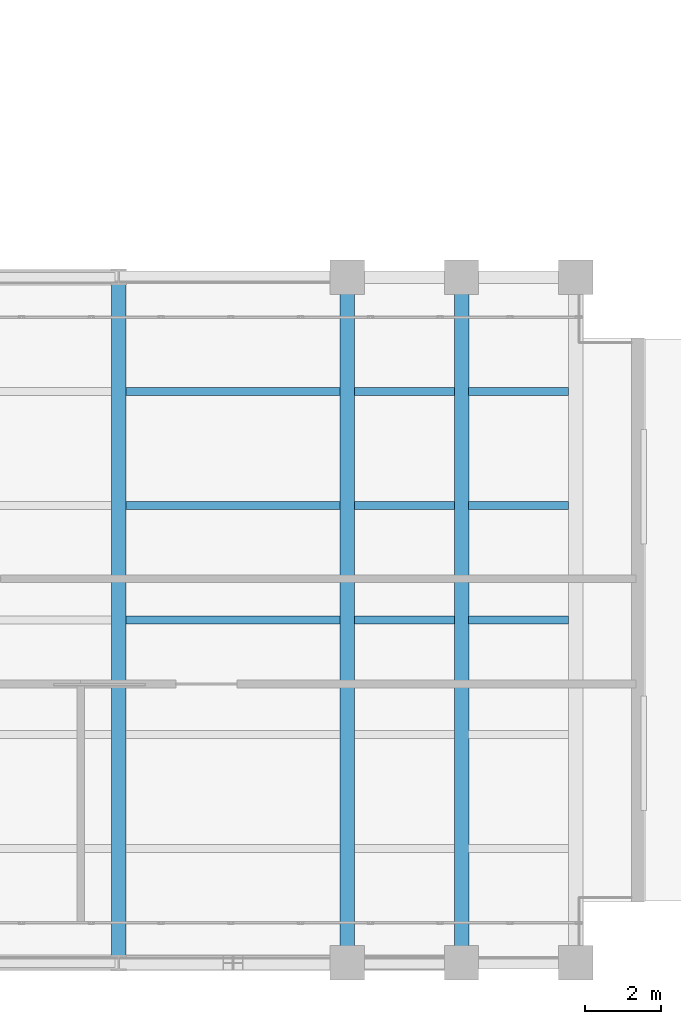
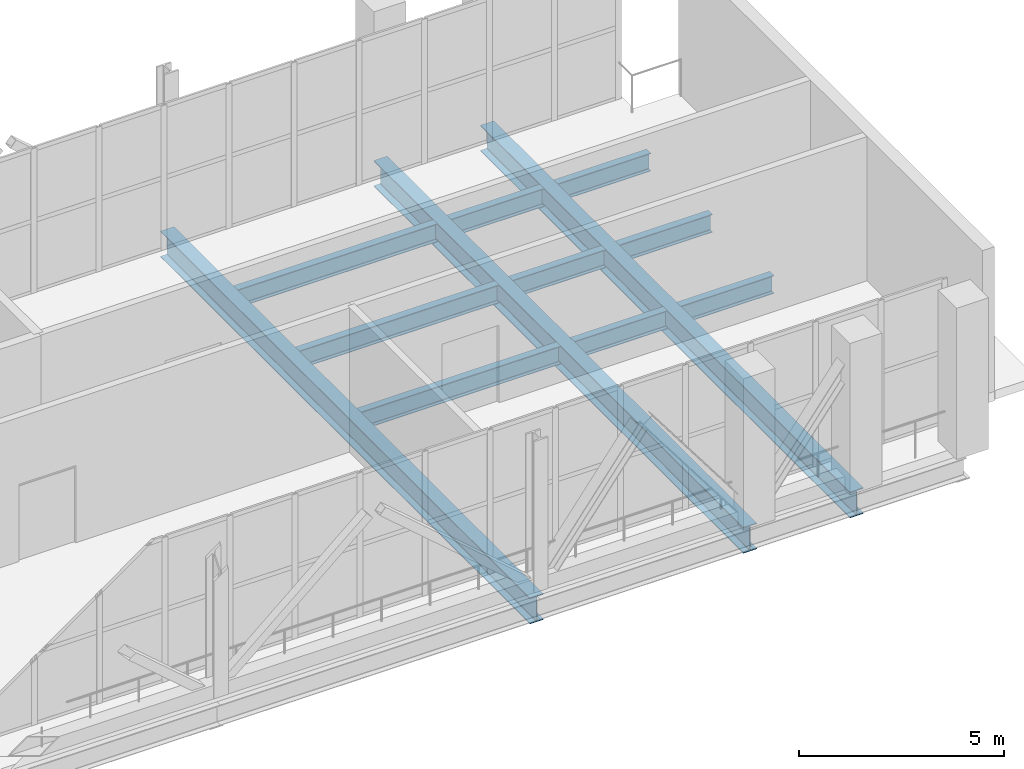
# One storey, part 14 of 26: 12 beams.
"""IFC4 building model written with IfcOpenShell, lengths in metres."""

import ifcopenshell
import ifcopenshell.guid

model = None  # the IFC model being written
_history = None  # IfcOwnerHistory: only IFC2X3 demands one
_inside = {}  # id of a spatial element -> (the spatial element, [elements in it])
_under = {}  # id of a project, library or spatial element -> (it, [spatial elements below it])
_declared = {}  # id of a project -> (the project, [libraries it declares])
_typed = {}  # id of a type object -> (the type object, [elements of that type])
_made_of = {}  # id of a material, layer set ... -> (it, [elements and type objects made of it])


def new_model(schema):
    """Start an empty IFC model of exactly this schema.

    Asked for "IFC4X3", IfcOpenShell would pick the latest addendum, in which some entities
    have other attributes; the version numbers below select the first issue.
    IFC2X3 requires an IfcOwnerHistory on every rooted entity: one is made here for all.
    """
    global model, _history
    if schema == "IFC4X3":
        model = ifcopenshell.file(schema_version=(4, 3, 0, 0))
    else:
        model = ifcopenshell.file(schema=schema)
    _inside.clear()
    _under.clear()
    _declared.clear()
    _typed.clear()
    _made_of.clear()
    _history = None
    if model.schema == "IFC2X3":
        org = make("IfcOrganization", Name="unknown")
        user = make(
            "IfcPersonAndOrganization",
            ThePerson=make("IfcPerson", FamilyName="unknown"),
            TheOrganization=org,
        )
        app = make(
            "IfcApplication",
            ApplicationDeveloper=org,
            Version="unknown",
            ApplicationFullName="unknown",
            ApplicationIdentifier="unknown",
        )
        _history = make(
            "IfcOwnerHistory",
            OwningUser=user,
            OwningApplication=app,
            ChangeAction="ADDED",
            CreationDate=0,
        )
    return model


def make(cls, **values):
    """One entity of the class cls with the attributes given. An attribute that is None is left unset."""
    return model.create_entity(
        cls, **{name: value for name, value in values.items() if value is not None}
    )


def rooted(cls, **values):
    """An entity with a GlobalId (a new one), such as an element, a storey or a relation."""
    return make(cls, GlobalId=ifcopenshell.guid.new(), OwnerHistory=_history, **values)


def si_unit(unit_type, name, prefix=None):
    """IfcSIUnit, for example si_unit("LENGTHUNIT", "METRE", prefix="MILLI")."""
    return make("IfcSIUnit", UnitType=unit_type, Prefix=prefix, Name=name)


def assignment(units):
    """IfcUnitAssignment: the units of a project."""
    return None if units is None else make("IfcUnitAssignment", Units=units)


def point(xyz):
    """IfcCartesianPoint."""
    return None if xyz is None else make("IfcCartesianPoint", Coordinates=xyz)


def direction(xyz):
    """IfcDirection."""
    return None if xyz is None else make("IfcDirection", DirectionRatios=xyz)


def frame(location, z_axis=None, x_axis=None):
    """IfcAxis2Placement3D, a coordinate frame: its origin and axes. An axis left out is left unset."""
    return make(
        "IfcAxis2Placement3D",
        Location=point(location),
        Axis=direction(z_axis),
        RefDirection=direction(x_axis),
    )


def frame_2d(location, x_axis=None):
    """IfcAxis2Placement2D, a coordinate frame in the plane: its origin and x axis."""
    return make(
        "IfcAxis2Placement2D", Location=point(location), RefDirection=direction(x_axis)
    )


def origin():
    """The frame at (0, 0, 0) with its axes left unset."""
    return frame((0.0, 0.0, 0.0))


def origin_2d():
    """The frame at (0, 0) in the plane with its x axis left unset."""
    return frame_2d((0.0, 0.0))


def place(relative_to, where):
    """IfcLocalPlacement: puts the frame where relative to a parent placement (None: the world)."""
    return make(
        "IfcLocalPlacement", PlacementRelTo=relative_to, RelativePlacement=where
    )


def context(
    kind, dimensions, precision=None, world=None, true_north=None, identifier=None
):
    """IfcGeometricRepresentationContext, for example the 3D "Model" context."""
    return make(
        "IfcGeometricRepresentationContext",
        ContextIdentifier=identifier,
        ContextType=kind,
        CoordinateSpaceDimension=dimensions,
        Precision=precision,
        WorldCoordinateSystem=world,
        TrueNorth=true_north,
    )


def subcontext(parent, identifier, kind, view, scale=None):
    """IfcGeometricRepresentationSubContext, for example "Body" below "Model"."""
    return make(
        "IfcGeometricRepresentationSubContext",
        ContextIdentifier=identifier,
        ContextType=kind,
        ParentContext=parent,
        TargetScale=scale,
        TargetView=view,
    )


def project(units=None, contexts=None):
    """IfcProject with its units and contexts."""
    return rooted(
        "IfcProject",
        Name="project",
        RepresentationContexts=contexts,
        UnitsInContext=assignment(units),
    )


def spatial(cls, under=None, at=None, **own):
    """A site, building, storey or space (cls), placed at a placement, below another one or the project."""
    s = rooted(cls, ObjectPlacement=at, **own)
    if under is not None:
        _under.setdefault(under.id(), (under, []))[1].append(s)
    return s


def profile(cls, at=None, kind="AREA", **sizes):
    """A parametric profile (cls). Its sizes go by their IFC names, for example OverallWidth=200.0."""
    return make(cls, ProfileType=kind, Position=at, **sizes)


def i_section(**sizes):
    """IfcIShapeProfileDef."""
    return profile("IfcIShapeProfileDef", **sizes)


def extrude(swept, where, along, depth):
    """IfcExtrudedAreaSolid: the profile swept, set in the frame where, extruded along a direction by depth."""
    return make(
        "IfcExtrudedAreaSolid",
        SweptArea=swept,
        Position=where,
        ExtrudedDirection=direction(along),
        Depth=depth,
    )


def shape(context_of_items, identifier, shape_type, items):
    """IfcShapeRepresentation: the items that make up one representation, for example the "Body"."""
    return make(
        "IfcShapeRepresentation",
        ContextOfItems=context_of_items,
        RepresentationIdentifier=identifier,
        RepresentationType=shape_type,
        Items=items,
    )


def material(Name=None, Category=None):
    """IfcMaterial."""
    return make("IfcMaterial", Name=Name, Category=Category)


def material_profile(
    of_material, cross_section, Name=None, Category=None, Priority=None
):
    """IfcMaterialProfile: a cross section and its material."""
    return make(
        "IfcMaterialProfile",
        Name=Name,
        Material=of_material,
        Profile=cross_section,
        Priority=Priority,
        Category=Category,
    )


def profile_set(profiles, Name=None, composite=None):
    """IfcMaterialProfileSet."""
    return make(
        "IfcMaterialProfileSet",
        Name=Name,
        MaterialProfiles=profiles,
        CompositeProfile=composite,
    )


def made_of(thing, what):
    """Note that an element or type object is made of a material, layer set ...; save() writes the relation."""
    if what is not None:
        _made_of.setdefault(what.id(), (what, []))[1].append(thing)
    return thing


def type_object(cls, material=None, **own):
    """A type object (cls), such as IfcWallType, which elements share."""
    return made_of(rooted(cls, **own), material)


def element(
    cls,
    number,
    at=None,
    inside=None,
    cuts=None,
    type_object=None,
    material=None,
    context=None,
    identifier="Body",
    shape_type=None,
    held_by="IfcProductDefinitionShape",
    body=None,
    shapes=None,
    **own,
):
    """One element of the class cls, such as IfcWall. Its Tag is "e" and its number.

    at: its placement. inside: the storey or other place that contains it. cuts: it is an
    opening in that element (IfcRelVoidsElement). A single representation is given by context,
    identifier, shape_type and body (its items); several are given by shapes. held_by: the class
    of the entity that holds the representations. save() writes the other relations.
    """
    e = rooted(cls, Tag="e%d" % number, ObjectPlacement=at, **own)
    if body is not None:
        shapes = [shape(context, identifier, shape_type, body)]
    if shapes is not None:
        e.Representation = make(held_by, Representations=shapes)
    if inside is not None:
        _inside.setdefault(inside.id(), (inside, []))[1].append(e)
    if cuts is not None:
        rooted(
            "IfcRelVoidsElement", RelatingBuildingElement=cuts, RelatedOpeningElement=e
        )
    if type_object is not None:
        _typed.setdefault(type_object.id(), (type_object, []))[1].append(e)
    return made_of(e, material)


def aggregate(whole, parts):
    """IfcRelAggregates: a whole, such as a stair, and the parts it consists of."""
    return rooted("IfcRelAggregates", RelatingObject=whole, RelatedObjects=parts)


def save(model, path):
    """Write the relations noted so far, then the file.

    IfcRelAggregates (storeys below a building ...), IfcRelContainedInSpatialStructure (elements
    in a storey), IfcRelDefinesByType, IfcRelAssociatesMaterial and IfcRelDeclares: one each for
    every whole, place, type object, material and project.
    """
    for whole, parts in _under.values():
        aggregate(whole, parts)
    for where, things in _inside.values():
        rooted(
            "IfcRelContainedInSpatialStructure",
            RelatedElements=things,
            RelatingStructure=where,
        )
    for kind, things in _typed.values():
        rooted("IfcRelDefinesByType", RelatedObjects=things, RelatingType=kind)
    for what, things in _made_of.values():
        rooted("IfcRelAssociatesMaterial", RelatedObjects=things, RelatingMaterial=what)
    for by, libraries in _declared.values():
        rooted("IfcRelDeclares", RelatingContext=by, RelatedDefinitions=libraries)
    model.write(path)


model = new_model("IFC4")

# Units and contexts
model_context = context("Model", 3, precision=1e-05, world=origin(), true_north=direction((0.0, 1.0)))
body_context = subcontext(model_context, "Body", "Model", "MODEL_VIEW")
ifc_project = project(units=[si_unit("LENGTHUNIT", "METRE"), si_unit("AREAUNIT", "SQUARE_METRE"), si_unit("VOLUMEUNIT", "CUBIC_METRE"), si_unit("PLANEANGLEUNIT", "RADIAN"), si_unit("MASSUNIT", "GRAM", prefix="KILO")], contexts=[model_context])

# Site, building, storey
site_placement = place(None, origin())
site = spatial("IfcSite", under=ifc_project, at=site_placement, CompositionType="ELEMENT")
building_placement = place(site_placement, origin())
building = spatial("IfcBuilding", under=site, at=building_placement, Name="Mawjdan Bourse Tower", CompositionType="ELEMENT")
storey_placement = place(building_placement, frame((0.0, 0.0, 226.800048828125)))
storey = spatial("IfcBuildingStorey", under=building, at=storey_placement, Name="L55", CompositionType="ELEMENT", Elevation=226.800048828125)

# Beams
ifc_material = material(Name="Structural Steel S355", Category="steel")
ifc_material_profile_1 = material_profile(ifc_material, i_section(OverallWidth=0.381103515625, OverallDepth=0.77294921875, WebThickness=0.0166015625, FlangeThickness=0.027099609375, FilletRadius=0.021728515625, at=origin_2d()), Name="W30X173")
ifc_profile_set_1 = profile_set([ifc_material_profile_1], Name="Structural Steel S355")
beam_type_1 = type_object("IfcBeamType", Name="GRD-W30X173", PredefinedType="BEAM", material=ifc_profile_set_1)
for number, where, z_axis, x_axis, name in (
    (1, (42.0, 3.0, -0.66650390625), (0.0, 1.0, 0.0), (-1.0, 0.0, 0.0), "L55 East Wing Clear-Span Girder 003"),
    (2, (48.0, 3.0, -0.66650390625), (0.0, 1.0, 0.0), (-1.0, 0.0, 0.0), "L55 East Wing Clear-Span Girder 004"),
    (3, (51.0, 3.0, -0.66650390625), (0.0, 1.0, 0.0), (-1.0, 0.0, 0.0), "L55 East Wing Clear-Span Girder 005"),
):
    element("IfcBeam", number, at=place(storey_placement, frame(where, z_axis=z_axis, x_axis=x_axis)), inside=storey, type_object=beam_type_1, Name=name, PredefinedType="BEAM", context=body_context, shape_type="SweptSolid", body=[
        extrude(i_section(OverallWidth=0.381103515625, OverallDepth=0.77294921875, WebThickness=0.0166015625, FlangeThickness=0.027099609375, FilletRadius=0.021728515625, at=origin_2d()), origin(), (0.0, 0.0, 1.0), 18.0),
    ])
ifc_material_profile_2 = material_profile(ifc_material, i_section(OverallWidth=0.2099609375, OverallDepth=0.537109375, WebThickness=0.010986328125, FlangeThickness=0.017333984375, FilletRadius=0.013916015625, at=origin_2d()), Name="W21X68")
ifc_profile_set_2 = profile_set([ifc_material_profile_2], Name="Structural Steel S355")
beam_type_2 = type_object("IfcBeamType", Name="JST-W21X68", PredefinedType="JOIST", material=ifc_profile_set_2)
beam_1_placement = place(storey_placement, frame((42.1884765625, 12.0, -0.548583984375), z_axis=(1.0, 0.0, 0.0), x_axis=(0.0, 1.0, 0.0)))
element("IfcBeam", 4, at=beam_1_placement, inside=storey, type_object=beam_type_2, Name="L55 East Wing Composite Joist 029", PredefinedType="JOIST", context=body_context, shape_type="SweptSolid", body=[
    extrude(i_section(OverallWidth=0.2099609375, OverallDepth=0.537109375, WebThickness=0.010986328125, FlangeThickness=0.017333984375, FilletRadius=0.013916015625, at=origin_2d()), origin(), (0.0, 0.0, 1.0), 5.623046875),
])
for number, where, z_axis, x_axis, name in (
    (5, (48.1884765625, 12.0, -0.548583984375), (1.0, 0.0, 0.0), (0.0, 1.0, 0.0), "L55 East Wing Composite Joist 030"),
    (6, (51.1884765625, 12.0, -0.548583984375), (1.0, 0.0, 0.0), (0.0, 1.0, 0.0), "L55 East Wing Composite Joist 031"),
):
    element("IfcBeam", number, at=place(storey_placement, frame(where, z_axis=z_axis, x_axis=x_axis)), inside=storey, type_object=beam_type_2, Name=name, PredefinedType="JOIST", context=body_context, shape_type="SweptSolid", body=[
        extrude(i_section(OverallWidth=0.2099609375, OverallDepth=0.537109375, WebThickness=0.010986328125, FlangeThickness=0.017333984375, FilletRadius=0.013916015625, at=origin_2d()), origin(), (0.0, 0.0, 1.0), 2.623046875),
    ])
beam_2_placement = place(storey_placement, frame((42.1884765625, 15.0, -0.548583984375), z_axis=(1.0, 0.0, 0.0), x_axis=(0.0, 1.0, 0.0)))
element("IfcBeam", 7, at=beam_2_placement, inside=storey, type_object=beam_type_2, Name="L55 East Wing Composite Joist 034", PredefinedType="JOIST", context=body_context, shape_type="SweptSolid", body=[
    extrude(i_section(OverallWidth=0.2099609375, OverallDepth=0.537109375, WebThickness=0.010986328125, FlangeThickness=0.017333984375, FilletRadius=0.013916015625, at=origin_2d()), origin(), (0.0, 0.0, 1.0), 5.623046875),
])
for number, where, z_axis, x_axis, name in (
    (8, (48.1884765625, 15.0, -0.548583984375), (1.0, 0.0, 0.0), (0.0, 1.0, 0.0), "L55 East Wing Composite Joist 035"),
    (9, (51.1884765625, 15.0, -0.548583984375), (1.0, 0.0, 0.0), (0.0, 1.0, 0.0), "L55 East Wing Composite Joist 036"),
):
    element("IfcBeam", number, at=place(storey_placement, frame(where, z_axis=z_axis, x_axis=x_axis)), inside=storey, type_object=beam_type_2, Name=name, PredefinedType="JOIST", context=body_context, shape_type="SweptSolid", body=[
        extrude(i_section(OverallWidth=0.2099609375, OverallDepth=0.537109375, WebThickness=0.010986328125, FlangeThickness=0.017333984375, FilletRadius=0.013916015625, at=origin_2d()), origin(), (0.0, 0.0, 1.0), 2.623046875),
    ])
beam_3_placement = place(storey_placement, frame((42.1884765625, 18.0, -0.548583984375), z_axis=(1.0, 0.0, 0.0), x_axis=(0.0, 1.0, 0.0)))
element("IfcBeam", 10, at=beam_3_placement, inside=storey, type_object=beam_type_2, Name="L55 East Wing Composite Joist 039", PredefinedType="JOIST", context=body_context, shape_type="SweptSolid", body=[
    extrude(i_section(OverallWidth=0.2099609375, OverallDepth=0.537109375, WebThickness=0.010986328125, FlangeThickness=0.017333984375, FilletRadius=0.013916015625, at=origin_2d()), origin(), (0.0, 0.0, 1.0), 5.623046875),
])
for number, where, z_axis, x_axis, name in (
    (11, (48.1884765625, 18.0, -0.548583984375), (1.0, 0.0, 0.0), (0.0, 1.0, 0.0), "L55 East Wing Composite Joist 040"),
    (12, (51.1884765625, 18.0, -0.548583984375), (1.0, 0.0, 0.0), (0.0, 1.0, 0.0), "L55 East Wing Composite Joist 041"),
):
    element("IfcBeam", number, at=place(storey_placement, frame(where, z_axis=z_axis, x_axis=x_axis)), inside=storey, type_object=beam_type_2, Name=name, PredefinedType="JOIST", context=body_context, shape_type="SweptSolid", body=[
        extrude(i_section(OverallWidth=0.2099609375, OverallDepth=0.537109375, WebThickness=0.010986328125, FlangeThickness=0.017333984375, FilletRadius=0.013916015625, at=origin_2d()), origin(), (0.0, 0.0, 1.0), 2.623046875),
    ])

save(model, "model.ifc")
